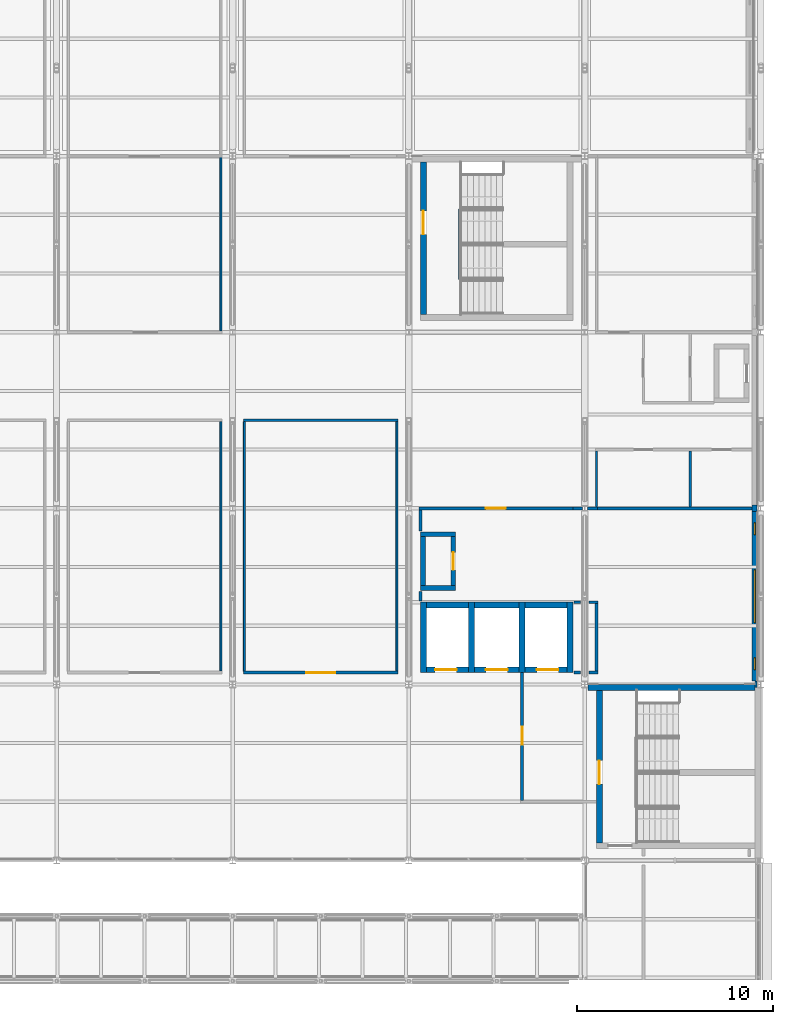
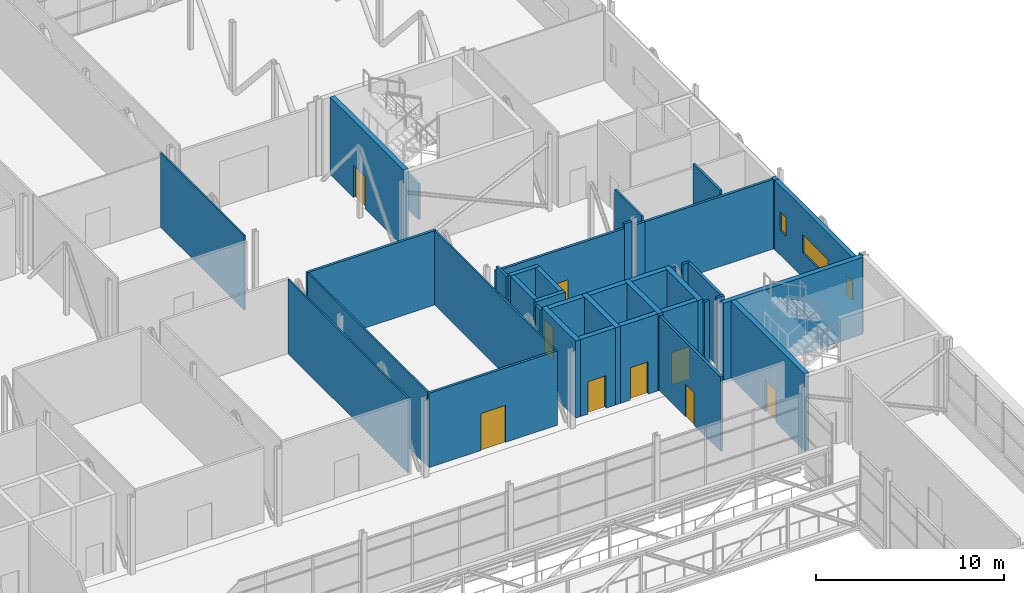
# One storey, part 80 of 94: 41 walls, 9 doors, 3 windows, 12 openings.
"""IFC4 building model written with IfcOpenShell, lengths in metres."""

from ifc_helpers import new_model, si_unit, direction, frame, frame_2d, origin, place, context, subcontext, project, spatial, rectangle, extrude, material, layer, layer_set, type_object, element, fill, save


model = new_model("IFC4")

# Units and contexts
model_context = context("Model", 3, precision=1e-05, world=origin(), true_north=direction((0.0, 1.0)))
body_context = subcontext(model_context, "Body", "Model", "MODEL_VIEW")
ifc_project = project(units=[si_unit("LENGTHUNIT", "METRE"), si_unit("AREAUNIT", "SQUARE_METRE"), si_unit("VOLUMEUNIT", "CUBIC_METRE"), si_unit("PLANEANGLEUNIT", "RADIAN"), si_unit("MASSUNIT", "GRAM", prefix="KILO")], contexts=[model_context])

# Site, building, storey
site_placement = place(None, origin())
site = spatial("IfcSite", under=ifc_project, at=site_placement, CompositionType="ELEMENT")
building_placement = place(site_placement, origin())
building = spatial("IfcBuilding", under=site, at=building_placement, Name="Shorebreak Coast Museum", CompositionType="ELEMENT")
storey_placement = place(building_placement, frame((0.0, 0.0, 31.0)))
storey = spatial("IfcBuildingStorey", under=building, at=storey_placement, Name="L05", CompositionType="ELEMENT", Elevation=31.0)

# Walls
ifc_material_1 = material(Name="Concrete N50 (50 MPa)", Category="concrete")
ifc_layer_1 = layer(ifc_material_1, 0.109619140625)
ifc_layer_set_1 = layer_set([ifc_layer_1], Name="Concrete N50 (50 MPa)")
wall_type_1 = type_object("IfcWallType", Name="Column closure panel 110", PredefinedType="SOLIDWALL", material=ifc_layer_set_1)
wall_1_placement = place(storey_placement, frame((116.7548828125, 89.83642578125, 0.0), z_axis=(0.0, 0.0, 1.0), x_axis=(0.0, 1.0, 0.0)))
element("IfcWall", 1, at=wall_1_placement, inside=storey, type_object=wall_type_1, Name="Column closure panel L05 E 14L", PredefinedType="SOLIDWALL", context=body_context, shape_type="SweptSolid", body=[
    extrude(rectangle(XDim=0.3271484375, YDim=0.109619140625, at=frame_2d((0.16357421875, 0.0))), origin(), (0.0, 0.0, 1.0), 5.0),
])
ifc_material_2 = material(Name="Concrete N50 (50 MPa)", Category="concrete")
ifc_layer_2 = layer(ifc_material_2, 0.25)
ifc_layer_set_2 = layer_set([ifc_layer_2], Name="Concrete N50 (50 MPa)")
wall_type_2 = type_object("IfcWallType", Name="Column closure panel 250", PredefinedType="SOLIDWALL", material=ifc_layer_set_2)
wall_2_placement = place(storey_placement, frame((116.684814453125, 98.839111328125, 0.0), z_axis=(0.0, 0.0, 1.0), x_axis=(0.0, 1.0, 0.0)))
element("IfcWall", 2, at=wall_2_placement, inside=storey, type_object=wall_type_2, Name="Column closure panel L05 E 14M", PredefinedType="SOLIDWALL", context=body_context, shape_type="SweptSolid", body=[
    extrude(rectangle(XDim=0.32177734375, YDim=0.25, at=frame_2d((0.160888671875, 0.0))), origin(), (0.0, 0.0, 1.0), 4.50439453125),
])

# Wall, opening, door
ifc_material_3 = material(Name="Plasterboard on steel stud", Category="steel")
ifc_layer_3 = layer(ifc_material_3, 0.14990234375)
ifc_layer_set_3 = layer_set([ifc_layer_3], Name="Plasterboard on steel stud")
wall_type_3 = type_object("IfcWallType", Name="Fire partition 150", PredefinedType="PARTITIONING", material=ifc_layer_set_3)
wall_3_placement = place(storey_placement, frame((90.550048828125, 90.60009765625, 0.0), z_axis=(0.0, 0.0, 1.0), x_axis=(1.0, 0.0, 0.0)))
wall_3 = element("IfcWall", 3, at=wall_3_placement, inside=storey, type_object=wall_type_3, Name="Partition L05-009", PredefinedType="PARTITIONING", context=body_context, shape_type="SweptSolid", body=[
    extrude(rectangle(XDim=7.89990234375, YDim=0.14990234375, at=frame_2d((3.949951171875, 0.0))), origin(), (0.0, 0.0, 1.0), 4.824951171875),
])
opening_1_placement = place(wall_3_placement, frame((3.199951171875, 0.0, 0.0)))
opening_1 = element("IfcOpeningElement", 4, at=opening_1_placement, cuts=wall_3, Name="Opening D5022", PredefinedType="OPENING", context=body_context, shape_type="SweptSolid", body=[
    extrude(rectangle(XDim=1.5, YDim=2.39990234375, at=frame_2d((0.75, 1.199951171875))), frame((0.0, 0.0849609375, 0.0), z_axis=(0.0, -1.0, 0.0), x_axis=(1.0, 0.0, 0.0)), (0.0, 0.0, 1.0), 0.169921875),
])
ifc_material_4 = material(Name="Steel", Category="steel")
door_type_1 = type_object("IfcDoorType", Name="Fire door 1500x2400 60", OperationType="DOUBLE_DOOR_SINGLE_SWING", PredefinedType="DOOR", material=ifc_material_4)
door_1_placement = place(opening_1_placement, origin())
door_1 = element("IfcDoor", 5, at=door_1_placement, inside=storey, type_object=door_type_1, Name="Door D5022 Coastal Ecology Gallery", OperationType="DOUBLE_DOOR_SINGLE_SWING", OverallHeight=2.39990234375, OverallWidth=1.5, PredefinedType="DOOR", context=body_context, shape_type="SweptSolid", body=[
    extrude(rectangle(XDim=1.5, YDim=2.39990234375, at=frame_2d((0.75, 1.199951171875))), frame((0.0, 0.02490234375, 0.0), z_axis=(0.0, -1.0, 0.0), x_axis=(1.0, 0.0, 0.0)), (0.0, 0.0, 1.0), 0.050048828125),
])
fill(opening_1, door_1)

# Walls
wall_4_placement = place(storey_placement, frame((107.449951171875, 90.60009765625, 0.0), z_axis=(0.0, 0.0, 1.0), x_axis=(1.0, 0.0, 0.0)))
element("IfcWall", 6, at=wall_4_placement, inside=storey, type_object=wall_type_3, Name="Partition L05-010", PredefinedType="PARTITIONING", context=body_context, shape_type="SweptSolid", body=[
    extrude(rectangle(XDim=0.330078125, YDim=0.14990234375, at=frame_2d((0.1650390625, 0.0))), origin(), (0.0, 0.0, 1.0), 4.824951171875),
])
wall_5_placement = place(storey_placement, frame((108.219970703125, 90.60009765625, 0.0), z_axis=(0.0, 0.0, 1.0), x_axis=(1.0, 0.0, 0.0)))
element("IfcWall", 7, at=wall_5_placement, inside=storey, type_object=wall_type_3, Name="Partition L05-011", PredefinedType="PARTITIONING", context=body_context, shape_type="SweptSolid", body=[
    extrude(rectangle(XDim=0.455078125, YDim=0.14990234375, at=frame_2d((0.2275390625, 0.0))), origin(), (0.0, 0.0, 1.0), 4.824951171875),
])
wall_6_placement = place(storey_placement, frame((107.449951171875, 94.199951171875, 0.0), z_axis=(0.0, 0.0, 1.0), x_axis=(1.0, 0.0, 0.0)))
element("IfcWall", 8, at=wall_6_placement, inside=storey, type_object=wall_type_3, Name="Partition L05-014", PredefinedType="PARTITIONING", context=body_context, shape_type="SweptSolid", body=[
    extrude(rectangle(XDim=0.330078125, YDim=0.14990234375, at=frame_2d((0.1650390625, 0.0))), origin(), (0.0, 0.0, 1.0), 4.824951171875),
])
wall_7_placement = place(storey_placement, frame((108.219970703125, 94.199951171875, 0.0), z_axis=(0.0, 0.0, 1.0), x_axis=(1.0, 0.0, 0.0)))
element("IfcWall", 9, at=wall_7_placement, inside=storey, type_object=wall_type_3, Name="Partition L05-015", PredefinedType="PARTITIONING", context=body_context, shape_type="SweptSolid", body=[
    extrude(rectangle(XDim=0.455078125, YDim=0.14990234375, at=frame_2d((0.2275390625, 0.0))), origin(), (0.0, 0.0, 1.0), 4.824951171875),
])

# Wall, opening, door
wall_8_placement = place(storey_placement, frame((99.52490234375, 99.0, 0.0), z_axis=(0.0, 0.0, 1.0), x_axis=(1.0, 0.0, 0.0)))
wall_8 = element("IfcWall", 10, at=wall_8_placement, inside=storey, type_object=wall_type_3, Name="Partition L05-020", PredefinedType="PARTITIONING", context=body_context, shape_type="SweptSolid", body=[
    extrude(rectangle(XDim=7.875, YDim=0.14990234375, at=frame_2d((3.9375, 0.0))), origin(), (0.0, 0.0, 1.0), 4.517822265625),
])
opening_2_placement = place(wall_8_placement, frame((3.425048828125, 0.0, 0.0)))
opening_2 = element("IfcOpeningElement", 11, at=opening_2_placement, cuts=wall_8, Name="Opening D5009", PredefinedType="OPENING", context=body_context, shape_type="SweptSolid", body=[
    extrude(rectangle(XDim=1.0, YDim=2.39990234375, at=frame_2d((0.5, 1.199951171875))), frame((0.0, 0.0849609375, 0.0), z_axis=(0.0, -1.0, 0.0), x_axis=(1.0, 0.0, 0.0)), (0.0, 0.0, 1.0), 0.169921875),
])
ifc_material_5 = material(Name="Steel", Category="steel")
door_type_2 = type_object("IfcDoorType", Name="Fire door 1000x2400 60", OperationType="SINGLE_SWING_LEFT", PredefinedType="DOOR", material=ifc_material_5)
door_2_placement = place(opening_2_placement, origin())
door_2 = element("IfcDoor", 12, at=door_2_placement, inside=storey, type_object=door_type_2, Name="Door D5009 Lift Services Room E", OperationType="SINGLE_SWING_LEFT", OverallHeight=2.39990234375, OverallWidth=1.0, PredefinedType="DOOR", context=body_context, shape_type="SweptSolid", body=[
    extrude(rectangle(XDim=1.0, YDim=2.39990234375, at=frame_2d((0.5, 1.199951171875))), frame((0.0, 0.02490234375, 0.0), z_axis=(0.0, -1.0, 0.0), x_axis=(1.0, 0.0, 0.0)), (0.0, 0.0, 1.0), 0.050048828125),
])
fill(opening_2, door_2)

# Walls
wall_9_placement = place(storey_placement, frame((107.400390625, 99.0, 0.0), z_axis=(0.0, 0.0, 1.0), x_axis=(1.0, 0.0, 0.0)))
element("IfcWall", 13, at=wall_9_placement, inside=storey, type_object=wall_type_3, Name="Partition L05-021", PredefinedType="PARTITIONING", context=body_context, shape_type="SweptSolid", body=[
    extrude(rectangle(XDim=0.47265625, YDim=0.14990234375, at=frame_2d((0.236328125, 0.0))), origin(), (0.0, 0.0, 1.0), 4.824951171875),
])
wall_10_placement = place(storey_placement, frame((108.126953125, 99.0, 0.0), z_axis=(0.0, 0.0, 1.0), x_axis=(1.0, 0.0, 0.0)))
element("IfcWall", 14, at=wall_10_placement, inside=storey, type_object=wall_type_3, Name="Partition L05-022", PredefinedType="PARTITIONING", context=body_context, shape_type="SweptSolid", body=[
    extrude(rectangle(XDim=0.53515625, YDim=0.14990234375, at=frame_2d((0.267578125, 0.0))), origin(), (0.0, 0.0, 1.0), 4.517822265625),
])
wall_11_placement = place(storey_placement, frame((108.53759765625, 99.0, 0.0), z_axis=(0.0, 0.0, 1.0), x_axis=(1.0, 0.0, 0.0)))
element("IfcWall", 15, at=wall_11_placement, inside=storey, type_object=wall_type_3, Name="Partition L05-023", PredefinedType="PARTITIONING", context=body_context, shape_type="SweptSolid", body=[
    extrude(rectangle(XDim=7.9970703125, YDim=0.14990234375, at=frame_2d((3.99853515625, 0.0))), origin(), (0.0, 0.0, 1.0), 4.517822265625),
])
wall_12_placement = place(storey_placement, frame((90.550048828125, 103.5, 0.0), z_axis=(0.0, 0.0, 1.0), x_axis=(1.0, 0.0, 0.0)))
element("IfcWall", 16, at=wall_12_placement, inside=storey, type_object=wall_type_3, Name="Partition L05-028", PredefinedType="PARTITIONING", context=body_context, shape_type="SweptSolid", body=[
    extrude(rectangle(XDim=7.89990234375, YDim=0.14990234375, at=frame_2d((3.949951171875, 0.0))), origin(), (0.0, 0.0, 1.0), 4.824951171875),
])
wall_13_placement = place(storey_placement, frame((99.60009765625, 94.25, 0.0), z_axis=(0.0, 0.0, 1.0), x_axis=(0.0, 1.0, 0.0)))
element("IfcWall", 17, at=wall_13_placement, inside=storey, type_object=wall_type_3, Name="Partition L05-070", PredefinedType="PARTITIONING", context=body_context, shape_type="SweptSolid", body=[
    extrude(rectangle(XDim=0.5, YDim=0.14990234375, at=frame_2d((0.25, 0.0))), origin(), (0.0, 0.0, 1.0), 4.824951171875),
])
wall_14_placement = place(storey_placement, frame((99.60009765625, 97.85009765625, 0.0), z_axis=(0.0, 0.0, 1.0), x_axis=(0.0, 1.0, 0.0)))
element("IfcWall", 18, at=wall_14_placement, inside=storey, type_object=wall_type_3, Name="Partition L05-071", PredefinedType="PARTITIONING", context=body_context, shape_type="SweptSolid", body=[
    extrude(rectangle(XDim=1.074951171875, YDim=0.14990234375, at=frame_2d((0.53759765625, 0.0))), origin(), (0.0, 0.0, 1.0), 4.824951171875),
])

# Wall, opening, door
wall_15_placement = place(storey_placement, frame((104.800048828125, 84.074951171875, 0.0), z_axis=(0.0, 0.0, 1.0), x_axis=(0.0, 1.0, 0.0)))
wall_15 = element("IfcWall", 19, at=wall_15_placement, inside=storey, type_object=wall_type_3, Name="Partition L05-073", PredefinedType="PARTITIONING", context=body_context, shape_type="SweptSolid", body=[
    extrude(rectangle(XDim=6.525146484375, YDim=0.14990234375, at=frame_2d((3.2626953125, 0.0))), origin(), (0.0, 0.0, 1.0), 4.824951171875),
])
opening_3_placement = place(wall_15_placement, frame((2.85009765625, 0.0, 0.0)))
opening_3 = element("IfcOpeningElement", 20, at=opening_3_placement, cuts=wall_15, Name="Opening D5002", PredefinedType="OPENING", context=body_context, shape_type="SweptSolid", body=[
    extrude(rectangle(XDim=0.89990234375, YDim=2.10009765625, at=frame_2d((0.449951171875, 1.050048828125))), frame((0.0, 0.0849609375, 0.0), z_axis=(0.0, -1.0, 0.0), x_axis=(1.0, 0.0, 0.0)), (0.0, 0.0, 1.0), 0.169921875),
])
ifc_material_6 = material(Name="Steel", Category="steel")
door_type_3 = type_object("IfcDoorType", Name="Fire door 900x2100 60", OperationType="SINGLE_SWING_LEFT", PredefinedType="DOOR", material=ifc_material_6)
door_3_placement = place(opening_3_placement, origin())
door_3 = element("IfcDoor", 21, at=door_3_placement, inside=storey, type_object=door_type_3, Name="Door D5002 Firefighting Lift Lobby E", OperationType="SINGLE_SWING_RIGHT", OverallHeight=2.10009765625, OverallWidth=0.89990234375, PredefinedType="DOOR", context=body_context, shape_type="SweptSolid", body=[
    extrude(rectangle(XDim=0.89990234375, YDim=2.10009765625, at=frame_2d((0.449951171875, 1.050048828125))), frame((0.0, 0.02490234375, 0.0), z_axis=(0.0, -1.0, 0.0), x_axis=(1.0, 0.0, 0.0)), (0.0, 0.0, 1.0), 0.050048828125),
])
fill(opening_3, door_3)

# Walls
wall_16_placement = place(storey_placement, frame((108.60009765625, 90.675048828125, 0.0), z_axis=(0.0, 0.0, 1.0), x_axis=(0.0, 1.0, 0.0)))
element("IfcWall", 22, at=wall_16_placement, inside=storey, type_object=wall_type_3, Name="Partition L05-074", PredefinedType="PARTITIONING", context=body_context, shape_type="SweptSolid", body=[
    extrude(rectangle(XDim=3.449951171875, YDim=0.14990234375, at=frame_2d((1.72509765625, 0.0))), origin(), (0.0, 0.0, 1.0), 4.824951171875),
])
ifc_material_7 = material(Name="Plasterboard on steel stud", Category="steel")
ifc_layer_4 = layer(ifc_material_7, 0.10009765625)
ifc_layer_set_4 = layer_set([ifc_layer_4], Name="Plasterboard on steel stud")
wall_type_4 = type_object("IfcWallType", Name="Partition 100", PredefinedType="PARTITIONING", material=ifc_layer_set_4)
wall_17_placement = place(storey_placement, frame((89.39990234375, 90.675048828125, 0.0), z_axis=(0.0, 0.0, 1.0), x_axis=(0.0, 1.0, 0.0)))
element("IfcWall", 23, at=wall_17_placement, inside=storey, type_object=wall_type_4, Name="Partition L05-063", PredefinedType="PARTITIONING", context=body_context, shape_type="SweptSolid", body=[
    extrude(rectangle(XDim=12.75, YDim=0.10009765625, at=frame_2d((6.375, 0.0))), origin(), (0.0, 0.0, 1.0), 4.824951171875),
])
wall_18_placement = place(storey_placement, frame((89.39990234375, 108.074951171875, 0.0), z_axis=(0.0, 0.0, 1.0), x_axis=(0.0, 1.0, 0.0)))
element("IfcWall", 24, at=wall_18_placement, inside=storey, type_object=wall_type_4, Name="Partition L05-064", PredefinedType="PARTITIONING", context=body_context, shape_type="SweptSolid", body=[
    extrude(rectangle(XDim=8.875, YDim=0.10009765625, at=frame_2d((4.4375, 0.0))), origin(), (0.0, 0.0, 1.0), 4.824951171875),
])
for number, where, z_axis, x_axis, name in (
    (25, (90.60009765625, 90.675048828125, 0.0), (0.0, 0.0, 1.0), (0.0, 1.0, 0.0), "Partition L05-067"),
    (26, (98.39990234375, 90.675048828125, 0.0), (0.0, 0.0, 1.0), (0.0, 1.0, 0.0), "Partition L05-069"),
):
    element("IfcWall", number, at=place(storey_placement, frame(where, z_axis=z_axis, x_axis=x_axis)), inside=storey, type_object=wall_type_4, Name=name, PredefinedType="PARTITIONING", context=body_context, shape_type="SweptSolid", body=[
        extrude(rectangle(XDim=12.75, YDim=0.10009765625, at=frame_2d((6.375, 0.0))), origin(), (0.0, 0.0, 1.0), 4.824951171875),
    ])
ifc_material_8 = material(Name="Plasterboard on steel stud", Category="steel")
ifc_layer_5 = layer(ifc_material_8, 0.125)
ifc_layer_set_5 = layer_set([ifc_layer_5], Name="Plasterboard on steel stud")
wall_type_5 = type_object("IfcWallType", Name="Partition 125", PredefinedType="PARTITIONING", material=ifc_layer_set_5)
for number, where, z_axis, x_axis, name in (
    (27, (108.60009765625, 99.074951171875, 0.0), (0.0, 0.0, 1.0), (0.0, 1.0, 0.0), "Partition L05-075"),
    (28, (113.39990234375, 99.074951171875, 0.0), (0.0, 0.0, 1.0), (0.0, 1.0, 0.0), "Partition L05-081"),
):
    element("IfcWall", number, at=place(storey_placement, frame(where, z_axis=z_axis, x_axis=x_axis)), inside=storey, type_object=wall_type_5, Name=name, PredefinedType="PARTITIONING", context=body_context, shape_type="SweptSolid", body=[
        extrude(rectangle(XDim=2.862548828125, YDim=0.125, at=frame_2d((1.43115234375, 0.0))), origin(), (0.0, 0.0, 1.0), 4.824951171875),
    ])

# Wall, openings, windows
ifc_material_9 = material(Name="Concrete N50 (50 MPa)", Category="concrete")
ifc_layer_6 = layer(ifc_material_9, 0.25)
ifc_layer_set_6 = layer_set([ifc_layer_6], Name="Concrete N50 (50 MPa)")
wall_type_6 = type_object("IfcWallType", Name="Precast upper panel 250", PredefinedType="SOLIDWALL", material=ifc_layer_set_6)
wall_19_placement = place(storey_placement, frame((116.684814453125, 90.16357421875, 0.0), z_axis=(0.0, 0.0, 1.0), x_axis=(0.0, 1.0, 0.0)))
wall_19 = element("IfcWall", 29, at=wall_19_placement, inside=storey, type_object=wall_type_6, Name="External wall L05 E 14L", PredefinedType="SOLIDWALL", context=body_context, shape_type="SweptSolid", body=[
    extrude(rectangle(XDim=8.675537109375, YDim=0.25, at=frame_2d((4.337890625, 0.0))), origin(), (0.0, 0.0, 1.0), 4.50439453125),
])
opening_4_placement = place(wall_19_placement, frame((0.58642578125, 0.0, 1.60009765625)))
opening_4 = element("IfcOpeningElement", 30, at=opening_4_placement, cuts=wall_19, Name="Opening WN5001", PredefinedType="OPENING", context=body_context, shape_type="SweptSolid", body=[
    extrude(rectangle(XDim=0.60009765625, YDim=1.199951171875, at=frame_2d((0.300048828125, 0.60009765625))), frame((0.0, 0.135009765625, 0.0), z_axis=(0.0, -1.0, 0.0), x_axis=(1.0, 0.0, 0.0)), (0.0, 0.0, 1.0), 0.27001953125),
])
opening_5_placement = place(wall_19_placement, frame((2.992431640625, 0.0, 1.60009765625)))
opening_5 = element("IfcOpeningElement", 31, at=opening_5_placement, cuts=wall_19, Name="Opening WN5009", PredefinedType="OPENING", context=body_context, shape_type="SweptSolid", body=[
    extrude(rectangle(XDim=2.699951171875, YDim=1.199951171875, at=frame_2d((1.35009765625, 0.60009765625))), frame((0.0, 0.135009765625, 0.0), z_axis=(0.0, -1.0, 0.0), x_axis=(1.0, 0.0, 0.0)), (0.0, 0.0, 1.0), 0.27001953125),
])
opening_6_placement = place(wall_19_placement, frame((7.486328125, 0.0, 1.60009765625)))
opening_6 = element("IfcOpeningElement", 32, at=opening_6_placement, cuts=wall_19, Name="Opening WN5010", PredefinedType="OPENING", context=body_context, shape_type="SweptSolid", body=[
    extrude(rectangle(XDim=0.60009765625, YDim=1.199951171875, at=frame_2d((0.300048828125, 0.60009765625))), frame((0.0, 0.135009765625, 0.0), z_axis=(0.0, -1.0, 0.0), x_axis=(1.0, 0.0, 0.0)), (0.0, 0.0, 1.0), 0.27001953125),
])
ifc_material_10 = material(Name="Aluminium", Category="aluminium")
window_type_1 = type_object("IfcWindowType", Name="Truss-bay window 2700 x 1200", PartitioningType="SINGLE_PANEL", PredefinedType="WINDOW", material=ifc_material_10)
window_1_placement = place(opening_5_placement, origin())
window_1 = element("IfcWindow", 33, at=window_1_placement, inside=storey, type_object=window_type_1, Name="Window WN5009", OverallHeight=1.199951171875, OverallWidth=2.699951171875, PartitioningType="SINGLE_PANEL", PredefinedType="WINDOW", context=body_context, shape_type="SweptSolid", body=[
    extrude(rectangle(XDim=2.699951171875, YDim=1.199951171875, at=frame_2d((1.35009765625, 0.60009765625))), frame((0.0, 0.030029296875, 0.0), z_axis=(0.0, -1.0, 0.0), x_axis=(1.0, 0.0, 0.0)), (0.0, 0.0, 1.0), 0.06005859375),
])
fill(opening_5, window_1)
ifc_material_11 = material(Name="Aluminium", Category="aluminium")
window_type_2 = type_object("IfcWindowType", Name="Truss-bay window 600 x 1200", PartitioningType="SINGLE_PANEL", PredefinedType="WINDOW", material=ifc_material_11)
window_2_placement = place(opening_4_placement, origin())
window_2 = element("IfcWindow", 34, at=window_2_placement, inside=storey, type_object=window_type_2, Name="Window WN5001", OverallHeight=1.199951171875, OverallWidth=0.60009765625, PartitioningType="SINGLE_PANEL", PredefinedType="WINDOW", context=body_context, shape_type="SweptSolid", body=[
    extrude(rectangle(XDim=0.60009765625, YDim=1.199951171875, at=frame_2d((0.300048828125, 0.60009765625))), frame((0.0, 0.030029296875, 0.0), z_axis=(0.0, -1.0, 0.0), x_axis=(1.0, 0.0, 0.0)), (0.0, 0.0, 1.0), 0.06005859375),
])
fill(opening_4, window_2)
window_3_placement = place(opening_6_placement, origin())
window_3 = element("IfcWindow", 35, at=window_3_placement, inside=storey, type_object=window_type_2, Name="Window WN5010", OverallHeight=1.199951171875, OverallWidth=0.60009765625, PartitioningType="SINGLE_PANEL", PredefinedType="WINDOW", context=body_context, shape_type="SweptSolid", body=[
    extrude(rectangle(XDim=0.60009765625, YDim=1.199951171875, at=frame_2d((0.300048828125, 0.60009765625))), frame((0.0, 0.030029296875, 0.0), z_axis=(0.0, -1.0, 0.0), x_axis=(1.0, 0.0, 0.0)), (0.0, 0.0, 1.0), 0.06005859375),
])
fill(opening_6, window_3)

# Walls
ifc_material_12 = material(Name="Concrete N50 (50 MPa)", Category="concrete")
ifc_layer_7 = layer(ifc_material_12, 0.25)
ifc_layer_set_7 = layer_set([ifc_layer_7], Name="Concrete N50 (50 MPa)")
wall_type_7 = type_object("IfcWallType", Name="RC riser wall 250", PredefinedType="STANDARD", material=ifc_layer_set_7)
for number, where, z_axis, x_axis, name in (
    (36, (99.60009765625, 94.925048828125, 0.0), (0.0, 0.0, 1.0), (1.0, 0.0, 0.0), "Riser wall R-LBE L05 S"),
    (37, (99.60009765625, 97.675048828125, 0.0), (0.0, 0.0, 1.0), (1.0, 0.0, 0.0), "Riser wall R-LBE L05 N"),
):
    element("IfcWall", number, at=place(storey_placement, frame(where, z_axis=z_axis, x_axis=x_axis)), inside=storey, type_object=wall_type_7, Name=name, PredefinedType="STANDARD", context=body_context, shape_type="SweptSolid", body=[
        extrude(rectangle(XDim=1.7998046875, YDim=0.25, at=frame_2d((0.89990234375, 0.0))), origin(), (0.0, 0.0, 1.0), 5.0),
    ])
wall_20_placement = place(storey_placement, frame((99.72509765625, 95.050048828125, 0.0), z_axis=(0.0, 0.0, 1.0), x_axis=(0.0, 1.0, 0.0)))
element("IfcWall", 38, at=wall_20_placement, inside=storey, type_object=wall_type_7, Name="Riser wall R-LBE L05 W", PredefinedType="STANDARD", context=body_context, shape_type="SweptSolid", body=[
    extrude(rectangle(XDim=2.5, YDim=0.25, at=frame_2d((1.25, 0.0))), origin(), (0.0, 0.0, 1.0), 5.0),
])

# Wall, opening, door
wall_21_placement = place(storey_placement, frame((101.27490234375, 95.050048828125, 0.0), z_axis=(0.0, 0.0, 1.0), x_axis=(0.0, 1.0, 0.0)))
wall_21 = element("IfcWall", 39, at=wall_21_placement, inside=storey, type_object=wall_type_7, Name="Riser wall R-LBE L05 E", PredefinedType="STANDARD", context=body_context, shape_type="SweptSolid", body=[
    extrude(rectangle(XDim=2.5, YDim=0.25, at=frame_2d((1.25, 0.0))), origin(), (0.0, 0.0, 1.0), 5.0),
])
opening_7_placement = place(wall_21_placement, frame((0.800048828125, 0.0, 0.0)))
opening_7 = element("IfcOpeningElement", 40, at=opening_7_placement, cuts=wall_21, Name="Opening D5607", PredefinedType="OPENING", context=body_context, shape_type="SweptSolid", body=[
    extrude(rectangle(XDim=0.89990234375, YDim=2.10009765625, at=frame_2d((0.449951171875, 1.050048828125))), frame((0.0, 0.135009765625, 0.0), z_axis=(0.0, -1.0, 0.0), x_axis=(1.0, 0.0, 0.0)), (0.0, 0.0, 1.0), 0.27001953125),
])
ifc_material_13 = material(Name="Steel Grade 300", Category="steel")
door_type_4 = type_object("IfcDoorType", Name="Riser door 900x2100", OperationType="SINGLE_SWING_LEFT", PredefinedType="DOOR", material=ifc_material_13)
door_4_placement = place(opening_7_placement, origin())
door_4 = element("IfcDoor", 41, at=door_4_placement, inside=storey, type_object=door_type_4, Name="Riser door R-LBE L05", OperationType="SINGLE_SWING_RIGHT", OverallHeight=2.10009765625, OverallWidth=0.89990234375, PredefinedType="DOOR", context=body_context, shape_type="SweptSolid", body=[
    extrude(rectangle(XDim=0.89990234375, YDim=2.10009765625, at=frame_2d((0.449951171875, 1.050048828125))), frame((0.0, 0.02490234375, 0.0), z_axis=(0.0, -1.0, 0.0), x_axis=(1.0, 0.0, 0.0)), (0.0, 0.0, 1.0), 0.050048828125),
])
fill(opening_7, door_4)

# Wall
ifc_material_14 = material(Name="Concrete N50 (50 MPa)", Category="concrete")
ifc_layer_8 = layer(ifc_material_14, 0.300048828125)
ifc_layer_set_8 = layer_set([ifc_layer_8], Name="Concrete N50 (50 MPa)")
wall_type_8 = type_object("IfcWallType", Name="RC wall 300", PredefinedType="SHEAR", material=ifc_layer_set_8)
wall_22_placement = place(storey_placement, frame((108.155517578125, 89.85009765625, 0.0), z_axis=(0.0, 0.0, 1.0), x_axis=(1.0, 0.0, 0.0)))
element("IfcWall", 42, at=wall_22_placement, inside=storey, type_object=wall_type_8, Name="Stair core wall ST04 L05 N", PredefinedType="SHEAR", context=body_context, shape_type="SweptSolid", body=[
    extrude(rectangle(XDim=8.54443359375, YDim=0.300048828125, at=frame_2d((4.272216796875, 0.0))), origin(), (0.0, 0.0, 1.0), 5.0),
])

# Wall, opening, door
wall_23_placement = place(storey_placement, frame((108.75, 81.89990234375, 0.0), z_axis=(0.0, 0.0, 1.0), x_axis=(0.0, 1.0, 0.0)))
wall_23 = element("IfcWall", 43, at=wall_23_placement, inside=storey, type_object=wall_type_8, Name="Stair core wall ST04 L05 W", PredefinedType="SHEAR", context=body_context, shape_type="SweptSolid", body=[
    extrude(rectangle(XDim=7.800048828125, YDim=0.300048828125, at=frame_2d((3.89990234375, 0.0))), origin(), (0.0, 0.0, 1.0), 5.0),
])
opening_8_placement = place(wall_23_placement, frame((3.0, 0.0, 0.0)))
opening_8 = element("IfcOpeningElement", 44, at=opening_8_placement, cuts=wall_23, Name="Opening D5804", PredefinedType="OPENING", context=body_context, shape_type="SweptSolid", body=[
    extrude(rectangle(XDim=1.199951171875, YDim=2.10009765625, at=frame_2d((0.60009765625, 1.050048828125))), frame((0.0, 0.159912109375, 0.0), z_axis=(0.0, -1.0, 0.0), x_axis=(1.0, 0.0, 0.0)), (0.0, 0.0, 1.0), 0.320068359375),
])
ifc_material_15 = material(Name="Steel Grade 300", Category="steel")
door_type_5 = type_object("IfcDoorType", Name="Fire door 1200x2100", OperationType="SINGLE_SWING_LEFT", PredefinedType="DOOR", material=ifc_material_15)
door_5_placement = place(opening_8_placement, origin())
door_5 = element("IfcDoor", 45, at=door_5_placement, inside=storey, type_object=door_type_5, Name="Stair door ST04 L05", OperationType="SINGLE_SWING_LEFT", OverallHeight=2.10009765625, OverallWidth=1.199951171875, PredefinedType="DOOR", context=body_context, shape_type="SweptSolid", body=[
    extrude(rectangle(XDim=1.199951171875, YDim=2.10009765625, at=frame_2d((0.60009765625, 1.050048828125))), frame((0.0, 0.02490234375, 0.0), z_axis=(0.0, -1.0, 0.0), x_axis=(1.0, 0.0, 0.0)), (0.0, 0.0, 1.0), 0.050048828125),
])
fill(opening_8, door_5)

wall_24_placement = place(storey_placement, frame((99.75, 108.89990234375, 0.0), z_axis=(0.0, 0.0, 1.0), x_axis=(0.0, 1.0, 0.0)))
wall_24 = element("IfcWall", 46, at=wall_24_placement, inside=storey, type_object=wall_type_8, Name="Stair core wall ST10 L05 W", PredefinedType="SHEAR", context=body_context, shape_type="SweptSolid", body=[
    extrude(rectangle(XDim=7.800048828125, YDim=0.300048828125, at=frame_2d((3.89990234375, 0.0))), origin(), (0.0, 0.0, 1.0), 5.0),
])
opening_9_placement = place(wall_24_placement, frame((4.10009765625, 0.0, 0.0)))
opening_9 = element("IfcOpeningElement", 47, at=opening_9_placement, cuts=wall_24, Name="Opening D5810", PredefinedType="OPENING", context=body_context, shape_type="SweptSolid", body=[
    extrude(rectangle(XDim=1.199951171875, YDim=2.10009765625, at=frame_2d((0.60009765625, 1.050048828125))), frame((0.0, 0.159912109375, 0.0), z_axis=(0.0, -1.0, 0.0), x_axis=(1.0, 0.0, 0.0)), (0.0, 0.0, 1.0), 0.320068359375),
])
door_6_placement = place(opening_9_placement, origin())
door_6 = element("IfcDoor", 48, at=door_6_placement, inside=storey, type_object=door_type_5, Name="Stair door ST10 L05", OperationType="SINGLE_SWING_RIGHT", OverallHeight=2.10009765625, OverallWidth=1.199951171875, PredefinedType="DOOR", context=body_context, shape_type="SweptSolid", body=[
    extrude(rectangle(XDim=1.199951171875, YDim=2.10009765625, at=frame_2d((0.60009765625, 1.050048828125))), frame((0.0, 0.02490234375, 0.0), z_axis=(0.0, -1.0, 0.0), x_axis=(1.0, 0.0, 0.0)), (0.0, 0.0, 1.0), 0.050048828125),
])
fill(opening_9, door_6)

# Walls
for number, where, z_axis, x_axis, name in (
    (49, (99.75, 90.60009765625, 0.0), (0.0, 0.0, 1.0), (0.0, 1.0, 0.0), "Lift shaft wall LBE L05 1"),
    (50, (102.199951171875, 90.60009765625, 0.0), (0.0, 0.0, 1.0), (0.0, 1.0, 0.0), "Lift shaft wall LBE L05 2"),
    (51, (104.800048828125, 90.60009765625, 0.0), (0.0, 0.0, 1.0), (0.0, 1.0, 0.0), "Lift shaft wall LBE L05 3"),
    (52, (107.25, 90.60009765625, 0.0), (0.0, 0.0, 1.0), (0.0, 1.0, 0.0), "Lift shaft wall LBE L05 4"),
):
    element("IfcWall", number, at=place(storey_placement, frame(where, z_axis=z_axis, x_axis=x_axis)), inside=storey, type_object=wall_type_8, Name=name, PredefinedType="SHEAR", context=body_context, shape_type="SweptSolid", body=[
        extrude(rectangle(XDim=3.599853515625, YDim=0.300048828125, at=frame_2d((1.7998046875, 0.0))), origin(), (0.0, 0.0, 1.0), 5.0),
    ])

# Wall, opening, door
wall_25_placement = place(storey_placement, frame((99.89990234375, 90.75, 0.0), z_axis=(0.0, 0.0, 1.0), x_axis=(1.0, 0.0, 0.0)))
wall_25 = element("IfcWall", 53, at=wall_25_placement, inside=storey, type_object=wall_type_8, Name="Lift shaft wall P3 L05 F", PredefinedType="SHEAR", context=body_context, shape_type="SweptSolid", body=[
    extrude(rectangle(XDim=2.150146484375, YDim=0.300048828125, at=frame_2d((1.0751953125, 0.0))), origin(), (0.0, 0.0, 1.0), 5.0),
])
opening_10_placement = place(wall_25_placement, frame((0.449951171875, 0.0, 0.0)))
opening_10 = element("IfcOpeningElement", 54, at=opening_10_placement, cuts=wall_25, Name="Opening LD5-P3", PredefinedType="OPENING", context=body_context, shape_type="SweptSolid", body=[
    extrude(rectangle(XDim=1.10009765625, YDim=2.10009765625, at=frame_2d((0.550048828125, 1.050048828125))), frame((0.0, 0.159912109375, 0.0), z_axis=(0.0, -1.0, 0.0), x_axis=(1.0, 0.0, 0.0)), (0.0, 0.0, 1.0), 0.320068359375),
])
ifc_material_16 = material(Name="Steel Grade 300", Category="steel")
door_type_6 = type_object("IfcDoorType", Name="Landing door 1100x2100", OperationType="DOUBLE_DOOR_SLIDING", PredefinedType="DOOR", material=ifc_material_16)
door_7_placement = place(opening_10_placement, origin())
door_7 = element("IfcDoor", 55, at=door_7_placement, inside=storey, type_object=door_type_6, Name="Landing door P3 L05", OperationType="DOUBLE_DOOR_SLIDING", OverallHeight=2.10009765625, OverallWidth=1.10009765625, PredefinedType="DOOR", context=body_context, shape_type="SweptSolid", body=[
    extrude(rectangle(XDim=1.10009765625, YDim=2.10009765625, at=frame_2d((0.550048828125, 1.050048828125))), frame((0.0, 0.02490234375, 0.0), z_axis=(0.0, -1.0, 0.0), x_axis=(1.0, 0.0, 0.0)), (0.0, 0.0, 1.0), 0.050048828125),
])
fill(opening_10, door_7)

# Wall
wall_26_placement = place(storey_placement, frame((99.89990234375, 94.050048828125, 0.0), z_axis=(0.0, 0.0, 1.0), x_axis=(1.0, 0.0, 0.0)))
element("IfcWall", 56, at=wall_26_placement, inside=storey, type_object=wall_type_8, Name="Lift shaft wall P3 L05 B", PredefinedType="SHEAR", context=body_context, shape_type="SweptSolid", body=[
    extrude(rectangle(XDim=2.150146484375, YDim=0.300048828125, at=frame_2d((1.0751953125, 0.0))), origin(), (0.0, 0.0, 1.0), 5.0),
])

# Wall, opening, door
wall_27_placement = place(storey_placement, frame((102.35009765625, 90.75, 0.0), z_axis=(0.0, 0.0, 1.0), x_axis=(1.0, 0.0, 0.0)))
wall_27 = element("IfcWall", 57, at=wall_27_placement, inside=storey, type_object=wall_type_8, Name="Lift shaft wall P4 L05 F", PredefinedType="SHEAR", context=body_context, shape_type="SweptSolid", body=[
    extrude(rectangle(XDim=2.2998046875, YDim=0.300048828125, at=frame_2d((1.14990234375, 0.0))), origin(), (0.0, 0.0, 1.0), 5.0),
])
opening_11_placement = place(wall_27_placement, frame((0.60009765625, 0.0, 0.0)))
opening_11 = element("IfcOpeningElement", 58, at=opening_11_placement, cuts=wall_27, Name="Opening LD5-P4", PredefinedType="OPENING", context=body_context, shape_type="SweptSolid", body=[
    extrude(rectangle(XDim=1.10009765625, YDim=2.10009765625, at=frame_2d((0.550048828125, 1.050048828125))), frame((0.0, 0.159912109375, 0.0), z_axis=(0.0, -1.0, 0.0), x_axis=(1.0, 0.0, 0.0)), (0.0, 0.0, 1.0), 0.320068359375),
])
door_8_placement = place(opening_11_placement, origin())
door_8 = element("IfcDoor", 59, at=door_8_placement, inside=storey, type_object=door_type_6, Name="Landing door P4 L05", OperationType="DOUBLE_DOOR_SLIDING", OverallHeight=2.10009765625, OverallWidth=1.10009765625, PredefinedType="DOOR", context=body_context, shape_type="SweptSolid", body=[
    extrude(rectangle(XDim=1.10009765625, YDim=2.10009765625, at=frame_2d((0.550048828125, 1.050048828125))), frame((0.0, 0.02490234375, 0.0), z_axis=(0.0, -1.0, 0.0), x_axis=(1.0, 0.0, 0.0)), (0.0, 0.0, 1.0), 0.050048828125),
])
fill(opening_11, door_8)

# Wall
wall_28_placement = place(storey_placement, frame((102.35009765625, 94.050048828125, 0.0), z_axis=(0.0, 0.0, 1.0), x_axis=(1.0, 0.0, 0.0)))
element("IfcWall", 60, at=wall_28_placement, inside=storey, type_object=wall_type_8, Name="Lift shaft wall P4 L05 B", PredefinedType="SHEAR", context=body_context, shape_type="SweptSolid", body=[
    extrude(rectangle(XDim=2.2998046875, YDim=0.300048828125, at=frame_2d((1.14990234375, 0.0))), origin(), (0.0, 0.0, 1.0), 5.0),
])

# Wall, opening, door
wall_29_placement = place(storey_placement, frame((104.949951171875, 90.75, 0.0), z_axis=(0.0, 0.0, 1.0), x_axis=(1.0, 0.0, 0.0)))
wall_29 = element("IfcWall", 61, at=wall_29_placement, inside=storey, type_object=wall_type_8, Name="Lift shaft wall FL2 L05 F", PredefinedType="SHEAR", context=body_context, shape_type="SweptSolid", body=[
    extrude(rectangle(XDim=2.150146484375, YDim=0.300048828125, at=frame_2d((1.0751953125, 0.0))), origin(), (0.0, 0.0, 1.0), 5.0),
])
opening_12_placement = place(wall_29_placement, frame((0.60009765625, 0.0, 0.0)))
opening_12 = element("IfcOpeningElement", 62, at=opening_12_placement, cuts=wall_29, Name="Opening LD5-FL2", PredefinedType="OPENING", context=body_context, shape_type="SweptSolid", body=[
    extrude(rectangle(XDim=1.10009765625, YDim=2.10009765625, at=frame_2d((0.550048828125, 1.050048828125))), frame((0.0, 0.159912109375, 0.0), z_axis=(0.0, -1.0, 0.0), x_axis=(1.0, 0.0, 0.0)), (0.0, 0.0, 1.0), 0.320068359375),
])
door_9_placement = place(opening_12_placement, origin())
door_9 = element("IfcDoor", 63, at=door_9_placement, inside=storey, type_object=door_type_6, Name="Landing door FL2 L05", OperationType="DOUBLE_DOOR_SLIDING", OverallHeight=2.10009765625, OverallWidth=1.10009765625, PredefinedType="DOOR", context=body_context, shape_type="SweptSolid", body=[
    extrude(rectangle(XDim=1.10009765625, YDim=2.10009765625, at=frame_2d((0.550048828125, 1.050048828125))), frame((0.0, 0.02490234375, 0.0), z_axis=(0.0, -1.0, 0.0), x_axis=(1.0, 0.0, 0.0)), (0.0, 0.0, 1.0), 0.050048828125),
])
fill(opening_12, door_9)

# Walls
wall_30_placement = place(storey_placement, frame((104.949951171875, 94.050048828125, 0.0), z_axis=(0.0, 0.0, 1.0), x_axis=(1.0, 0.0, 0.0)))
element("IfcWall", 64, at=wall_30_placement, inside=storey, type_object=wall_type_8, Name="Lift shaft wall FL2 L05 B", PredefinedType="SHEAR", context=body_context, shape_type="SweptSolid", body=[
    extrude(rectangle(XDim=2.150146484375, YDim=0.300048828125, at=frame_2d((1.0751953125, 0.0))), origin(), (0.0, 0.0, 1.0), 5.0),
])
ifc_material_17 = material(Name="Concrete N50 (50 MPa)", Category="concrete")
ifc_layer_9 = layer(ifc_material_17, 0.14990234375)
ifc_layer_set_9 = layer_set([ifc_layer_9], Name="Concrete N50 (50 MPa)")
wall_type_9 = type_object("IfcWallType", Name="Understair wall 150", PredefinedType="STANDARD", material=ifc_layer_set_9)
wall_31_placement = place(storey_placement, frame((101.625, 110.699951171875, 0.0), z_axis=(0.0, 0.0, 1.0), x_axis=(0.0, 1.0, 0.0)))
element("IfcWall", 65, at=wall_31_placement, inside=storey, type_object=wall_type_9, Name="Understair wall ST10 L05 floor", PredefinedType="STANDARD", context=body_context, shape_type="SweptSolid", body=[
    extrude(rectangle(XDim=3.60009765625, YDim=0.14990234375, at=frame_2d((1.800048828125, 0.0))), origin(), (0.0, 0.0, 1.0), 2.300048828125),
])

save(model, "model.ifc")
